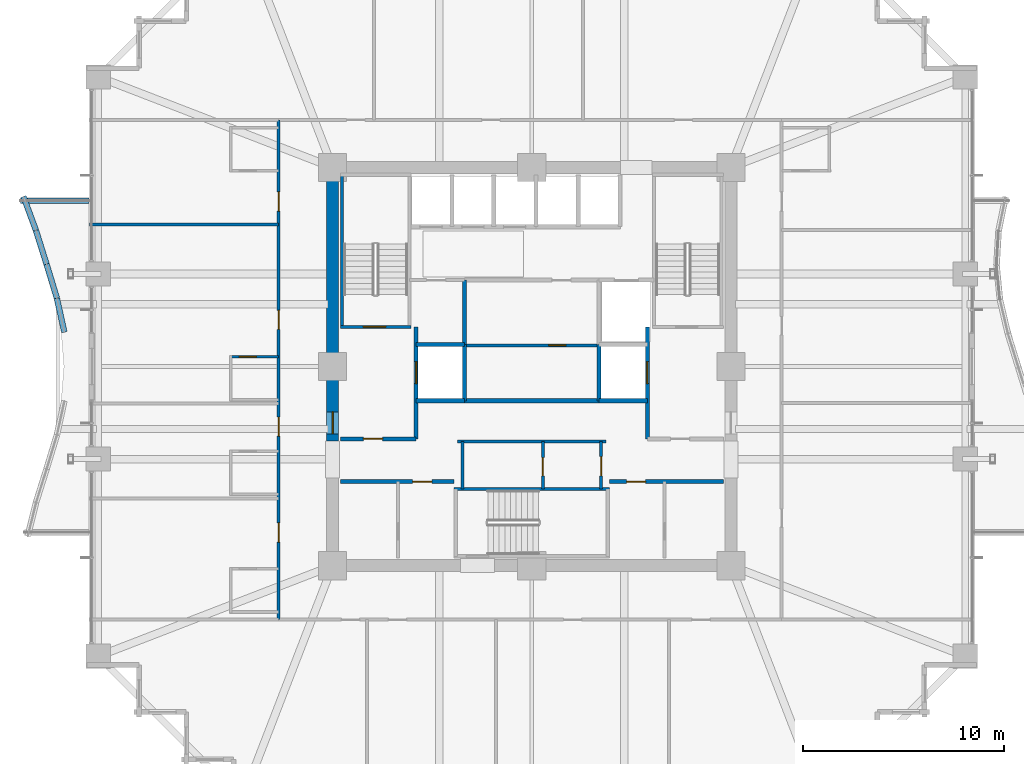
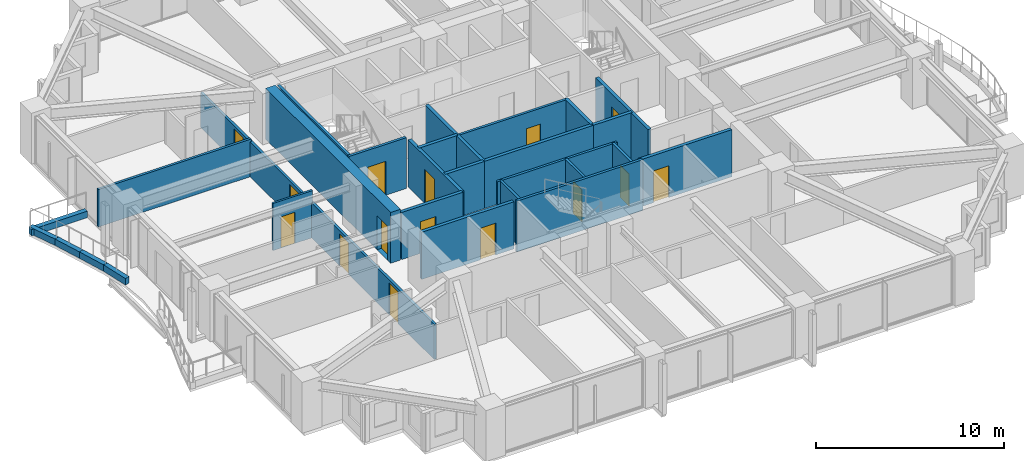
# One storey, part 31 of 36: 29 walls, 15 doors, 15 openings.
"""IFC4 building model written with IfcOpenShell, lengths in metres."""

from ifc_helpers import new_model, si_unit, direction, frame, frame_2d, origin, place, context, subcontext, project, spatial, rectangle, extrude, material, layer, layer_set, type_object, element, fill, save


model = new_model("IFC4")

# Units and contexts
model_context = context("Model", 3, precision=1e-05, world=origin(), true_north=direction((0.0, 1.0)))
body_context = subcontext(model_context, "Body", "Model", "MODEL_VIEW")
ifc_project = project(units=[si_unit("LENGTHUNIT", "METRE"), si_unit("AREAUNIT", "SQUARE_METRE"), si_unit("VOLUMEUNIT", "CUBIC_METRE"), si_unit("PLANEANGLEUNIT", "RADIAN"), si_unit("MASSUNIT", "GRAM", prefix="KILO")], contexts=[model_context])

# Site, building, storey
site_placement = place(None, origin())
site = spatial("IfcSite", under=ifc_project, at=site_placement, CompositionType="ELEMENT")
building_placement = place(site_placement, origin())
building = spatial("IfcBuilding", under=site, at=building_placement, Name="Kolvaren Belvedere", CompositionType="ELEMENT")
storey_placement = place(building_placement, frame((0.0, 0.0, 46.89990234375)))
storey = spatial("IfcBuildingStorey", under=building, at=storey_placement, Name="L13", CompositionType="ELEMENT", Elevation=46.89990234375)

# Wall, opening, door
ifc_material_1 = material(Name="Concrete C60/75", Category="concrete")
ifc_layer_1 = layer(ifc_material_1, 0.60009765625)
ifc_layer_set_1 = layer_set([ifc_layer_1], Name="Concrete C60/75")
wall_type_1 = type_object("IfcWallType", Name="CW-CORE-600", PredefinedType="SHEAR", material=ifc_layer_set_1)
wall_1_placement = place(storey_placement, frame((-9.89990234375, -3.699951171875, 0.0), z_axis=(0.0, 0.0, 1.0), x_axis=(0.0, 1.0, 0.0)))
wall_1 = element("IfcWall", 1, at=wall_1_placement, inside=storey, type_object=wall_type_1, Name="L13 West Core Shear Wall 2", PredefinedType="SHEAR", context=body_context, shape_type="SweptSolid", body=[
    extrude(rectangle(XDim=13.300048828125, YDim=0.60009765625, at=frame_2d((6.64990234375, 0.0))), origin(), (0.0, 0.0, 1.0), 3.300048828125),
])
opening_1_placement = place(wall_1_placement, frame((0.35009765625, 0.0, 0.0)))
opening_1 = element("IfcOpeningElement", 2, at=opening_1_placement, cuts=wall_1, Name="Opening D-FD90", PredefinedType="OPENING", context=body_context, shape_type="SweptSolid", body=[
    extrude(rectangle(XDim=1.10009765625, YDim=2.199951171875, at=frame_2d((0.550048828125, 1.10009765625))), frame((0.0, 0.31005859375, 0.0), z_axis=(0.0, -1.0, 0.0), x_axis=(1.0, 0.0, 0.0)), (0.0, 0.0, 1.0), 0.6201171875),
])
ifc_material_2 = material(Name="Painted hollow stainless steel", Category="steel")
door_type_1 = type_object("IfcDoorType", Name="DR-FD90-1100", OperationType="NOTDEFINED", PredefinedType="DOOR", material=ifc_material_2)
door_1_placement = place(opening_1_placement, origin())
door_1 = element("IfcDoor", 3, at=door_1_placement, inside=storey, type_object=door_type_1, Name="L13 West Firefighting Lobby Fire Door", OperationType="SINGLE_SWING_LEFT", OverallHeight=2.199951171875, OverallWidth=1.10009765625, PredefinedType="DOOR", context=body_context, shape_type="SweptSolid", body=[
    extrude(rectangle(XDim=1.10009765625, YDim=2.199951171875, at=frame_2d((0.550048828125, 1.10009765625))), frame((0.0, 0.02490234375, 0.0), z_axis=(0.0, -1.0, 0.0), x_axis=(1.0, 0.0, 0.0)), (0.0, 0.0, 1.0), 0.050048828125),
])
fill(opening_1, door_1)

ifc_material_3 = material(Name="Concrete C50/60", Category="concrete")
ifc_layer_2 = layer(ifc_material_3, 0.159912109375)
ifc_layer_set_2 = layer_set([ifc_layer_2], Name="Concrete C50/60")
wall_type_2 = type_object("IfcWallType", Name="CW-STAIR-160", PredefinedType="SHEAR", material=ifc_layer_set_2)
wall_2_placement = place(storey_placement, frame((-9.52001953125, 1.969970703125, 0.0), z_axis=(0.0, 0.0, 1.0), x_axis=(1.0, 0.0, 0.0)))
wall_2 = element("IfcWall", 4, at=wall_2_placement, inside=storey, type_object=wall_type_2, Name="L13 Stair ST-1 South Shear Wall", PredefinedType="SHEAR", context=body_context, shape_type="SweptSolid", body=[
    extrude(rectangle(XDim=3.52001953125, YDim=0.159912109375, at=frame_2d((1.760009765625, 0.0))), origin(), (0.0, 0.0, 1.0), 3.300048828125),
])
opening_2_placement = place(wall_2_placement, frame((1.14990234375, 0.0, 0.0)))
opening_2 = element("IfcOpeningElement", 5, at=opening_2_placement, cuts=wall_2, Name="Opening D-FD90", PredefinedType="OPENING", context=body_context, shape_type="SweptSolid", body=[
    extrude(rectangle(XDim=1.10009765625, YDim=2.199951171875, at=frame_2d((0.550048828125, 1.10009765625))), frame((0.0, 0.08984375, 0.0), z_axis=(0.0, -1.0, 0.0), x_axis=(1.0, 0.0, 0.0)), (0.0, 0.0, 1.0), 0.179931640625),
])
door_2_placement = place(opening_2_placement, origin())
door_2 = element("IfcDoor", 6, at=door_2_placement, inside=storey, type_object=door_type_1, Name="L13 Stair ST-1 Fire Door", OperationType="SINGLE_SWING_LEFT", OverallHeight=2.199951171875, OverallWidth=1.10009765625, PredefinedType="DOOR", context=body_context, shape_type="SweptSolid", body=[
    extrude(rectangle(XDim=1.10009765625, YDim=2.199951171875, at=frame_2d((0.550048828125, 1.10009765625))), frame((0.0, 0.02490234375, 0.0), z_axis=(0.0, -1.0, 0.0), x_axis=(1.0, 0.0, 0.0)), (0.0, 0.0, 1.0), 0.050048828125),
])
fill(opening_2, door_2)

# Walls
wall_3_placement = place(storey_placement, frame((-9.429931640625, 1.969970703125, 0.0), z_axis=(0.0, 0.0, 1.0), x_axis=(0.0, 1.0, 0.0)))
element("IfcWall", 7, at=wall_3_placement, inside=storey, type_object=wall_type_2, Name="L13 Stair ST-1 West Shear Wall", PredefinedType="SHEAR", context=body_context, shape_type="SweptSolid", body=[
    extrude(rectangle(XDim=7.56005859375, YDim=0.159912109375, at=frame_2d((3.780029296875, 0.0))), origin(), (0.0, 0.0, 1.0), 3.300048828125),
])
wall_4_placement = place(storey_placement, frame((-3.860107421875, -6.080078125, 0.0), z_axis=(0.0, 0.0, 1.0), x_axis=(1.0, 0.0, 0.0)))
element("IfcWall", 8, at=wall_4_placement, inside=storey, type_object=wall_type_2, Name="L13 Stair ST-3 North Shear Wall", PredefinedType="SHEAR", context=body_context, shape_type="SweptSolid", body=[
    extrude(rectangle(XDim=7.72021484375, YDim=0.159912109375, at=frame_2d((3.860107421875, 0.0))), origin(), (0.0, 0.0, 1.0), 3.300048828125),
])

# Wall, openings, doors
ifc_material_4 = material(Name="Gypsum fire-rated partition assembly", Category="gypsum")
ifc_layer_3 = layer(ifc_material_4, 0.14990234375)
ifc_layer_set_3 = layer_set([ifc_layer_3], Name="Gypsum fire-rated partition assembly")
wall_type_3 = type_object("IfcWallType", Name="WL-CORR-150", PredefinedType="PARTITIONING", material=ifc_layer_set_3)
wall_5_placement = place(storey_placement, frame((-12.580078125, -12.580078125, 0.0), z_axis=(0.0, 0.0, 1.0), x_axis=(0.0, 1.0, 0.0)))
wall_5 = element("IfcWall", 9, at=wall_5_placement, inside=storey, type_object=wall_type_3, Name="L13 West Corridor Wall", PredefinedType="PARTITIONING", context=body_context, shape_type="SweptSolid", body=[
    extrude(rectangle(XDim=24.840087890625, YDim=0.14990234375, at=frame_2d((12.419921875, 0.0))), origin(), (0.0, 0.0, 1.0), 2.272216796875),
])
opening_3_placement = place(wall_5_placement, frame((3.855712890625, 0.0, 0.0)))
opening_3 = element("IfcOpeningElement", 10, at=opening_3_placement, cuts=wall_5, Name="Opening D-FD60", PredefinedType="OPENING", context=body_context, shape_type="SweptSolid", body=[
    extrude(rectangle(XDim=0.949951171875, YDim=2.06005859375, at=frame_2d((0.47509765625, 1.030029296875))), frame((0.0, 0.0849609375, 0.0), z_axis=(0.0, -1.0, 0.0), x_axis=(1.0, 0.0, 0.0)), (0.0, 0.0, 1.0), 0.169921875),
])
opening_4_placement = place(wall_5_placement, frame((9.119384765625, 0.0, 0.0)))
opening_4 = element("IfcOpeningElement", 11, at=opening_4_placement, cuts=wall_5, Name="Opening D-FD60", PredefinedType="OPENING", context=body_context, shape_type="SweptSolid", body=[
    extrude(rectangle(XDim=0.949951171875, YDim=2.06005859375, at=frame_2d((0.47509765625, 1.030029296875))), frame((0.0, 0.0849609375, 0.0), z_axis=(0.0, -1.0, 0.0), x_axis=(1.0, 0.0, 0.0)), (0.0, 0.0, 1.0), 0.169921875),
])
opening_5_placement = place(wall_5_placement, frame((14.428466796875, 0.0, 0.0)))
opening_5 = element("IfcOpeningElement", 12, at=opening_5_placement, cuts=wall_5, Name="Opening D-FD60", PredefinedType="OPENING", context=body_context, shape_type="SweptSolid", body=[
    extrude(rectangle(XDim=0.949951171875, YDim=2.06005859375, at=frame_2d((0.47509765625, 1.030029296875))), frame((0.0, 0.0849609375, 0.0), z_axis=(0.0, -1.0, 0.0), x_axis=(1.0, 0.0, 0.0)), (0.0, 0.0, 1.0), 0.169921875),
])
opening_6_placement = place(wall_5_placement, frame((20.30859375, 0.0, 0.0)))
opening_6 = element("IfcOpeningElement", 13, at=opening_6_placement, cuts=wall_5, Name="Opening D-FD60", PredefinedType="OPENING", context=body_context, shape_type="SweptSolid", body=[
    extrude(rectangle(XDim=0.949951171875, YDim=2.06005859375, at=frame_2d((0.47509765625, 1.030029296875))), frame((0.0, 0.0849609375, 0.0), z_axis=(0.0, -1.0, 0.0), x_axis=(1.0, 0.0, 0.0)), (0.0, 0.0, 1.0), 0.169921875),
])
ifc_material_5 = material(Name="Acoustic white-oak fire door leaf", Category="timber")
door_type_2 = type_object("IfcDoorType", Name="DR-FD60-950", OperationType="NOTDEFINED", PredefinedType="DOOR", material=ifc_material_5)
door_3_placement = place(opening_3_placement, origin())
door_3 = element("IfcDoor", 14, at=door_3_placement, inside=storey, type_object=door_type_2, Name="L13 Deluxe King Guest Room 1308 Entry Door", OperationType="SINGLE_SWING_RIGHT", OverallHeight=2.06005859375, OverallWidth=0.949951171875, PredefinedType="DOOR", context=body_context, shape_type="SweptSolid", body=[
    extrude(rectangle(XDim=0.949951171875, YDim=2.06005859375, at=frame_2d((0.47509765625, 1.030029296875))), frame((0.0, 0.02490234375, 0.0), z_axis=(0.0, -1.0, 0.0), x_axis=(1.0, 0.0, 0.0)), (0.0, 0.0, 1.0), 0.050048828125),
])
fill(opening_3, door_3)
door_4_placement = place(opening_4_placement, origin())
door_4 = element("IfcDoor", 15, at=door_4_placement, inside=storey, type_object=door_type_2, Name="L13 Twin Guest Room 1309 Entry Door", OperationType="SINGLE_SWING_RIGHT", OverallHeight=2.06005859375, OverallWidth=0.949951171875, PredefinedType="DOOR", context=body_context, shape_type="SweptSolid", body=[
    extrude(rectangle(XDim=0.949951171875, YDim=2.06005859375, at=frame_2d((0.47509765625, 1.030029296875))), frame((0.0, 0.02490234375, 0.0), z_axis=(0.0, -1.0, 0.0), x_axis=(1.0, 0.0, 0.0)), (0.0, 0.0, 1.0), 0.050048828125),
])
fill(opening_4, door_4)
door_5_placement = place(opening_5_placement, origin())
door_5 = element("IfcDoor", 16, at=door_5_placement, inside=storey, type_object=door_type_2, Name="L13 Deluxe King Guest Room 1310 Entry Door", OperationType="SINGLE_SWING_RIGHT", OverallHeight=2.06005859375, OverallWidth=0.949951171875, PredefinedType="DOOR", context=body_context, shape_type="SweptSolid", body=[
    extrude(rectangle(XDim=0.949951171875, YDim=2.06005859375, at=frame_2d((0.47509765625, 1.030029296875))), frame((0.0, 0.02490234375, 0.0), z_axis=(0.0, -1.0, 0.0), x_axis=(1.0, 0.0, 0.0)), (0.0, 0.0, 1.0), 0.050048828125),
])
fill(opening_5, door_5)
door_6_placement = place(opening_6_placement, origin())
door_6 = element("IfcDoor", 17, at=door_6_placement, inside=storey, type_object=door_type_2, Name="L13 Twin Guest Room 1311 Entry Door", OperationType="SINGLE_SWING_RIGHT", OverallHeight=2.06005859375, OverallWidth=0.949951171875, PredefinedType="DOOR", context=body_context, shape_type="SweptSolid", body=[
    extrude(rectangle(XDim=0.949951171875, YDim=2.06005859375, at=frame_2d((0.47509765625, 1.030029296875))), frame((0.0, 0.02490234375, 0.0), z_axis=(0.0, -1.0, 0.0), x_axis=(1.0, 0.0, 0.0)), (0.0, 0.0, 1.0), 0.050048828125),
])
fill(opening_6, door_6)

# Wall, opening, door
ifc_material_6 = material(Name="Gypsum acoustic partition assembly", Category="gypsum")
ifc_layer_4 = layer(ifc_material_6, 0.14990234375)
ifc_layer_set_4 = layer_set([ifc_layer_4], Name="Gypsum acoustic partition assembly")
wall_type_4 = type_object("IfcWallType", Name="WL-PART-150", PredefinedType="PARTITIONING", material=ifc_layer_set_4)
wall_6_placement = place(storey_placement, frame((-3.35009765625, 1.050048828125, 0.0), z_axis=(0.0, 0.0, 1.0), x_axis=(1.0, 0.0, 0.0)))
wall_6 = element("IfcWall", 18, at=wall_6_placement, inside=storey, type_object=wall_type_4, Name="L13 Central Core H-Divider", PredefinedType="PARTITIONING", context=body_context, shape_type="SweptSolid", body=[
    extrude(rectangle(XDim=6.7001953125, YDim=0.14990234375, at=frame_2d((3.35009765625, 0.0))), origin(), (0.0, 0.0, 1.0), 3.06005859375),
])
opening_7_placement = place(wall_6_placement, frame((4.199951171875, 0.0, 0.0)))
opening_7 = element("IfcOpeningElement", 19, at=opening_7_placement, cuts=wall_6, Name="Opening D-INT85", PredefinedType="OPENING", context=body_context, shape_type="SweptSolid", body=[
    extrude(rectangle(XDim=0.85009765625, YDim=2.030029296875, at=frame_2d((0.425048828125, 1.01513671875))), frame((0.0, 0.0849609375, 0.0), z_axis=(0.0, -1.0, 0.0), x_axis=(1.0, 0.0, 0.0)), (0.0, 0.0, 1.0), 0.169921875),
])
ifc_material_7 = material(Name="Stained Pacific white oak", Category="timber")
door_type_3 = type_object("IfcDoorType", Name="DR-INT-850", OperationType="NOTDEFINED", PredefinedType="DOOR", material=ifc_material_7)
door_7_placement = place(opening_7_placement, origin())
door_7 = element("IfcDoor", 20, at=door_7_placement, inside=storey, type_object=door_type_3, Name="L13 Central Archive Door", OperationType="SINGLE_SWING_LEFT", OverallHeight=2.030029296875, OverallWidth=0.85009765625, PredefinedType="DOOR", context=body_context, shape_type="SweptSolid", body=[
    extrude(rectangle(XDim=0.85009765625, YDim=2.030029296875, at=frame_2d((0.425048828125, 1.01513671875))), frame((0.0, 0.02490234375, 0.0), z_axis=(0.0, -1.0, 0.0), x_axis=(1.0, 0.0, 0.0)), (0.0, 0.0, 1.0), 0.050048828125),
])
fill(opening_7, door_7)

# Wall
wall_7_placement = place(storey_placement, frame((-3.679931640625, -3.719970703125, 0.0), z_axis=(0.0, 0.0, 1.0), x_axis=(1.0, 0.0, 0.0)))
element("IfcWall", 21, at=wall_7_placement, inside=storey, type_object=wall_type_4, Name="L13 South Core Service North Wall", PredefinedType="PARTITIONING", context=body_context, shape_type="SweptSolid", body=[
    extrude(rectangle(XDim=7.35986328125, YDim=0.14990234375, at=frame_2d((3.679931640625, 0.0))), origin(), (0.0, 0.0, 1.0), 3.06005859375),
])

# Wall, opening, door
wall_8_placement = place(storey_placement, frame((3.449951171875, -6.080078125, 0.0), z_axis=(0.0, 0.0, 1.0), x_axis=(0.0, 1.0, 0.0)))
wall_8 = element("IfcWall", 22, at=wall_8_placement, inside=storey, type_object=wall_type_4, Name="L13 South Core Service East Wall", PredefinedType="PARTITIONING", context=body_context, shape_type="SweptSolid", body=[
    extrude(rectangle(XDim=2.360107421875, YDim=0.14990234375, at=frame_2d((1.18017578125, 0.0))), origin(), (0.0, 0.0, 1.0), 3.06005859375),
])
opening_8_placement = place(wall_8_placement, frame((0.64990234375, 0.0, 0.0)))
opening_8 = element("IfcOpeningElement", 23, at=opening_8_placement, cuts=wall_8, Name="Opening D-FD60", PredefinedType="OPENING", context=body_context, shape_type="SweptSolid", body=[
    extrude(rectangle(XDim=0.949951171875, YDim=2.06005859375, at=frame_2d((0.47509765625, 1.030029296875))), frame((0.0, 0.0849609375, 0.0), z_axis=(0.0, -1.0, 0.0), x_axis=(1.0, 0.0, 0.0)), (0.0, 0.0, 1.0), 0.169921875),
])
door_8_placement = place(opening_8_placement, origin())
door_8 = element("IfcDoor", 24, at=door_8_placement, inside=storey, type_object=door_type_2, Name="L13 Core Service Room Door", OperationType="SINGLE_SWING_LEFT", OverallHeight=2.06005859375, OverallWidth=0.949951171875, PredefinedType="DOOR", context=body_context, shape_type="SweptSolid", body=[
    extrude(rectangle(XDim=0.949951171875, YDim=2.06005859375, at=frame_2d((0.47509765625, 1.030029296875))), frame((0.0, 0.02490234375, 0.0), z_axis=(0.0, -1.0, 0.0), x_axis=(1.0, 0.0, 0.0)), (0.0, 0.0, 1.0), 0.050048828125),
])
fill(opening_8, door_8)

# Wall
wall_9_placement = place(storey_placement, frame((-3.449951171875, -6.080078125, 0.0), z_axis=(0.0, 0.0, 1.0), x_axis=(0.0, 1.0, 0.0)))
element("IfcWall", 25, at=wall_9_placement, inside=storey, type_object=wall_type_4, Name="L13 South Core Service West Wall", PredefinedType="PARTITIONING", context=body_context, shape_type="SweptSolid", body=[
    extrude(rectangle(XDim=2.360107421875, YDim=0.14990234375, at=frame_2d((1.18017578125, 0.0))), origin(), (0.0, 0.0, 1.0), 3.06005859375),
])

# Wall, opening, door
wall_10_placement = place(storey_placement, frame((0.550048828125, -6.080078125, 0.0), z_axis=(0.0, 0.0, 1.0), x_axis=(0.0, 1.0, 0.0)))
wall_10 = element("IfcWall", 26, at=wall_10_placement, inside=storey, type_object=wall_type_4, Name="L13 Core Service Divider", PredefinedType="PARTITIONING", context=body_context, shape_type="SweptSolid", body=[
    extrude(rectangle(XDim=2.360107421875, YDim=0.14990234375, at=frame_2d((1.18017578125, 0.0))), origin(), (0.0, 0.0, 1.0), 3.06005859375),
])
opening_9_placement = place(wall_10_placement, frame((0.64990234375, 0.0, 0.0)))
opening_9 = element("IfcOpeningElement", 27, at=opening_9_placement, cuts=wall_10, Name="Opening D-INT90", PredefinedType="OPENING", context=body_context, shape_type="SweptSolid", body=[
    extrude(rectangle(XDim=0.89990234375, YDim=2.06005859375, at=frame_2d((0.449951171875, 1.030029296875))), frame((0.0, 0.0849609375, 0.0), z_axis=(0.0, -1.0, 0.0), x_axis=(1.0, 0.0, 0.0)), (0.0, 0.0, 1.0), 0.169921875),
])
ifc_material_8 = material(Name="Stained Pacific white oak", Category="timber")
door_type_4 = type_object("IfcDoorType", Name="DR-INT-900", OperationType="NOTDEFINED", PredefinedType="DOOR", material=ifc_material_8)
door_9_placement = place(opening_9_placement, origin())
door_9 = element("IfcDoor", 28, at=door_9_placement, inside=storey, type_object=door_type_4, Name="L13 BMS Inner Door", OperationType="SINGLE_SWING_LEFT", OverallHeight=2.06005859375, OverallWidth=0.89990234375, PredefinedType="DOOR", context=body_context, shape_type="SweptSolid", body=[
    extrude(rectangle(XDim=0.89990234375, YDim=2.06005859375, at=frame_2d((0.449951171875, 1.030029296875))), frame((0.0, 0.02490234375, 0.0), z_axis=(0.0, -1.0, 0.0), x_axis=(1.0, 0.0, 0.0)), (0.0, 0.0, 1.0), 0.050048828125),
])
fill(opening_9, door_9)

# Walls
wall_11_placement = place(storey_placement, frame((-21.97998046875, 7.052001953125, 0.0), z_axis=(0.0, 0.0, 1.0), x_axis=(1.0, 0.0, 0.0)))
element("IfcWall", 29, at=wall_11_placement, inside=storey, type_object=wall_type_4, Name="L13 West Suite Demising Wall 3", PredefinedType="PARTITIONING", context=body_context, shape_type="SweptSolid", body=[
    extrude(rectangle(XDim=9.39990234375, YDim=0.14990234375, at=frame_2d((4.699951171875, 0.0))), origin(), (0.0, 0.0, 1.0), 2.42919921875),
])
ifc_material_9 = material(Name="Precast concrete C40/50", Category="concrete")
ifc_layer_5 = layer(ifc_material_9, 0.300048828125)
ifc_layer_set_5 = layer_set([ifc_layer_5], Name="Precast concrete C40/50")
wall_type_5 = type_object("IfcWallType", Name="WL-PLANTER-300", PredefinedType="PARAPET", material=ifc_layer_set_5)
wall_12_placement = place(storey_placement, frame((-25.27001953125, 8.455322265625, -0.059814453125), z_axis=(0.0, 0.0, 1.0), x_axis=(0.346412843043, -0.93808216174, 0.0)))
element("IfcWall", 30, at=wall_12_placement, inside=storey, type_object=wall_type_5, Name="L13 Precast Structural Planter Wall BAL-W-1", PredefinedType="PARAPET", context=body_context, shape_type="SweptSolid", body=[
    extrude(rectangle(XDim=1.790771484375, YDim=0.280029296875, at=frame_2d((0.8955078125, 0.0))), origin(), (0.0, 0.0, 1.0), 0.419921875),
])
wall_13_placement = place(storey_placement, frame((-24.647216796875, 6.767822265625, -0.059814453125), z_axis=(0.0, 0.0, 1.0), x_axis=(0.299624691176, -0.954057149461, 0.0)))
element("IfcWall", 31, at=wall_13_placement, inside=storey, type_object=wall_type_5, Name="L13 Precast Structural Planter Wall BAL-W-2", PredefinedType="PARAPET", context=body_context, shape_type="SweptSolid", body=[
    extrude(rectangle(XDim=1.7607421875, YDim=0.280029296875, at=frame_2d((0.88037109375, 0.0))), origin(), (0.0, 0.0, 1.0), 0.419921875),
])
wall_14_placement = place(storey_placement, frame((-24.119140625, 5.086669921875, -0.059814453125), z_axis=(0.0, 0.0, 1.0), x_axis=(0.290967992577, -0.956732787823, 0.0)))
element("IfcWall", 32, at=wall_14_placement, inside=storey, type_object=wall_type_5, Name="L13 Precast Structural Planter Wall BAL-W-3", PredefinedType="PARAPET", context=body_context, shape_type="SweptSolid", body=[
    extrude(rectangle(XDim=1.756103515625, YDim=0.280029296875, at=frame_2d((0.8779296875, 0.0))), origin(), (0.0, 0.0, 1.0), 0.419921875),
])
wall_15_placement = place(storey_placement, frame((-23.60498046875, 3.394287109375, -0.059814453125), z_axis=(0.0, 0.0, 1.0), x_axis=(0.213773077423, -0.976883345835, 0.0)))
element("IfcWall", 33, at=wall_15_placement, inside=storey, type_object=wall_type_5, Name="L13 Precast Structural Planter Wall BAL-W-4", PredefinedType="PARAPET", context=body_context, shape_type="SweptSolid", body=[
    extrude(rectangle(XDim=1.719970703125, YDim=0.280029296875, at=frame_2d((0.85986328125, 0.0))), origin(), (0.0, 0.0, 1.0), 0.419921875),
])
wall_16_placement = place(storey_placement, frame((-22.0, 8.239990234375, -0.059814453125), z_axis=(0.0, 0.0, 1.0), x_axis=(-1.0, 0.0, 0.0)))
element("IfcWall", 34, at=wall_16_placement, inside=storey, type_object=wall_type_5, Name="L13 Precast Structural Planter Wall BAL-W-22", PredefinedType="PARAPET", context=body_context, shape_type="SweptSolid", body=[
    extrude(rectangle(XDim=3.419921875, YDim=0.280029296875, at=frame_2d((1.7099609375, 0.0))), origin(), (0.0, 0.0, 1.0), 0.419921875),
])

# Wall, opening, door
ifc_material_10 = material(Name="Concrete C50/60", Category="concrete")
ifc_layer_6 = layer(ifc_material_10, 0.199951171875)
ifc_layer_set_6 = layer_set([ifc_layer_6], Name="Concrete C50/60")
wall_type_6 = type_object("IfcWallType", Name="WL-SHAFT-200", PredefinedType="SOLIDWALL", material=ifc_layer_set_6)
wall_17_placement = place(storey_placement, frame((-9.52001953125, -3.60009765625, 0.0), z_axis=(0.0, 0.0, 1.0), x_axis=(1.0, 0.0, 0.0)))
wall_17 = element("IfcWall", 35, at=wall_17_placement, inside=storey, type_object=wall_type_6, Name="L13 West FSAE Lobby South Wall", PredefinedType="SOLIDWALL", context=body_context, shape_type="SweptSolid", body=[
    extrude(rectangle(XDim=3.77001953125, YDim=0.199951171875, at=frame_2d((1.885009765625, 0.0))), origin(), (0.0, 0.0, 1.0), 3.06005859375),
])
opening_10_placement = place(wall_17_placement, frame((1.14990234375, 0.0, 0.0)))
opening_10 = element("IfcOpeningElement", 36, at=opening_10_placement, cuts=wall_17, Name="Opening D-FD60", PredefinedType="OPENING", context=body_context, shape_type="SweptSolid", body=[
    extrude(rectangle(XDim=0.949951171875, YDim=2.06005859375, at=frame_2d((0.47509765625, 1.030029296875))), frame((0.0, 0.10986328125, 0.0), z_axis=(0.0, -1.0, 0.0), x_axis=(1.0, 0.0, 0.0)), (0.0, 0.0, 1.0), 0.219970703125),
])
door_10_placement = place(opening_10_placement, origin())
door_10 = element("IfcDoor", 37, at=door_10_placement, inside=storey, type_object=door_type_2, Name="L13 SW Lift Lobby Fire Door", OperationType="SINGLE_SWING_LEFT", OverallHeight=2.06005859375, OverallWidth=0.949951171875, PredefinedType="DOOR", context=body_context, shape_type="SweptSolid", body=[
    extrude(rectangle(XDim=0.949951171875, YDim=2.06005859375, at=frame_2d((0.47509765625, 1.030029296875))), frame((0.0, 0.02490234375, 0.0), z_axis=(0.0, -1.0, 0.0), x_axis=(1.0, 0.0, 0.0)), (0.0, 0.0, 1.0), 0.050048828125),
])
fill(opening_10, door_10)

wall_18_placement = place(storey_placement, frame((-5.75, -3.60009765625, 0.0), z_axis=(0.0, 0.0, 1.0), x_axis=(0.0, 1.0, 0.0)))
wall_18 = element("IfcWall", 38, at=wall_18_placement, inside=storey, type_object=wall_type_6, Name="L13 FSAE FS1 Landing Wall", PredefinedType="SOLIDWALL", context=body_context, shape_type="SweptSolid", body=[
    extrude(rectangle(XDim=5.570068359375, YDim=0.199951171875, at=frame_2d((2.78515625, 0.0))), origin(), (0.0, 0.0, 1.0), 3.06005859375),
])
opening_11_placement = place(wall_18_placement, frame((2.75, 0.0, 0.0)))
opening_11 = element("IfcOpeningElement", 39, at=opening_11_placement, cuts=wall_18, Name="Opening LD-11", PredefinedType="OPENING", context=body_context, shape_type="SweptSolid", body=[
    extrude(rectangle(XDim=1.10009765625, YDim=2.199951171875, at=frame_2d((0.550048828125, 1.10009765625))), frame((0.0, 0.10986328125, 0.0), z_axis=(0.0, -1.0, 0.0), x_axis=(1.0, 0.0, 0.0)), (0.0, 0.0, 1.0), 0.219970703125),
])
ifc_material_11 = material(Name="Brushed stainless steel", Category="steel")
door_type_5 = type_object("IfcDoorType", Name="DR-LIFT-1100", OperationType="DOUBLE_DOOR_SLIDING", PredefinedType="DOOR", material=ifc_material_11)
door_11_placement = place(opening_11_placement, origin())
door_11 = element("IfcDoor", 40, at=door_11_placement, inside=storey, type_object=door_type_5, Name="L13 Firefighting Lift FS1 Landing Door", OperationType="DOUBLE_DOOR_SLIDING", OverallHeight=2.199951171875, OverallWidth=1.10009765625, PredefinedType="DOOR", context=body_context, shape_type="SweptSolid", body=[
    extrude(rectangle(XDim=1.10009765625, YDim=2.199951171875, at=frame_2d((0.550048828125, 1.10009765625))), frame((0.0, 0.02490234375, 0.0), z_axis=(0.0, -1.0, 0.0), x_axis=(1.0, 0.0, 0.0)), (0.0, 0.0, 1.0), 0.050048828125),
])
fill(opening_11, door_11)

# Walls
wall_19_placement = place(storey_placement, frame((-3.35009765625, -1.699951171875, 0.0), z_axis=(0.0, 0.0, 1.0), x_axis=(0.0, 1.0, 0.0)))
element("IfcWall", 41, at=wall_19_placement, inside=storey, type_object=wall_type_6, Name="L13 FSAE FS1 Back Wall", PredefinedType="SOLIDWALL", context=body_context, shape_type="SweptSolid", body=[
    extrude(rectangle(XDim=2.800048828125, YDim=0.199951171875, at=frame_2d((1.39990234375, 0.0))), origin(), (0.0, 0.0, 1.0), 3.06005859375),
])
for number, where, z_axis, x_axis, name in (
    (42, (-5.75, -1.699951171875, 0.0), (0.0, 0.0, 1.0), (1.0, 0.0, 0.0), "L13 FSAE FS1 South Wall"),
    (43, (-5.75, 1.10009765625, 0.0), (0.0, 0.0, 1.0), (1.0, 0.0, 0.0), "L13 FSAE FS1 North Wall"),
):
    element("IfcWall", number, at=place(storey_placement, frame(where, z_axis=z_axis, x_axis=x_axis)), inside=storey, type_object=wall_type_6, Name=name, PredefinedType="SOLIDWALL", context=body_context, shape_type="SweptSolid", body=[
        extrude(rectangle(XDim=2.39990234375, YDim=0.199951171875, at=frame_2d((1.199951171875, 0.0))), origin(), (0.0, 0.0, 1.0), 3.06005859375),
    ])

# Wall, opening, door
wall_20_placement = place(storey_placement, frame((5.75, -3.60009765625, 0.0), z_axis=(0.0, 0.0, 1.0), x_axis=(0.0, 1.0, 0.0)))
wall_20 = element("IfcWall", 44, at=wall_20_placement, inside=storey, type_object=wall_type_6, Name="L13 FSAE FS2 Landing Wall", PredefinedType="SOLIDWALL", context=body_context, shape_type="SweptSolid", body=[
    extrude(rectangle(XDim=5.570068359375, YDim=0.199951171875, at=frame_2d((2.78515625, 0.0))), origin(), (0.0, 0.0, 1.0), 3.06005859375),
])
opening_12_placement = place(wall_20_placement, frame((2.75, 0.0, 0.0)))
opening_12 = element("IfcOpeningElement", 45, at=opening_12_placement, cuts=wall_20, Name="Opening LD-11", PredefinedType="OPENING", context=body_context, shape_type="SweptSolid", body=[
    extrude(rectangle(XDim=1.10009765625, YDim=2.199951171875, at=frame_2d((0.550048828125, 1.10009765625))), frame((0.0, 0.10986328125, 0.0), z_axis=(0.0, -1.0, 0.0), x_axis=(1.0, 0.0, 0.0)), (0.0, 0.0, 1.0), 0.219970703125),
])
door_12_placement = place(opening_12_placement, origin())
door_12 = element("IfcDoor", 46, at=door_12_placement, inside=storey, type_object=door_type_5, Name="L13 Firefighting Lift FS2 Landing Door", OperationType="DOUBLE_DOOR_SLIDING", OverallHeight=2.199951171875, OverallWidth=1.10009765625, PredefinedType="DOOR", context=body_context, shape_type="SweptSolid", body=[
    extrude(rectangle(XDim=1.10009765625, YDim=2.199951171875, at=frame_2d((0.550048828125, 1.10009765625))), frame((0.0, 0.02490234375, 0.0), z_axis=(0.0, -1.0, 0.0), x_axis=(1.0, 0.0, 0.0)), (0.0, 0.0, 1.0), 0.050048828125),
])
fill(opening_12, door_12)

# Walls
wall_21_placement = place(storey_placement, frame((3.35009765625, -1.699951171875, 0.0), z_axis=(0.0, 0.0, 1.0), x_axis=(0.0, 1.0, 0.0)))
element("IfcWall", 47, at=wall_21_placement, inside=storey, type_object=wall_type_6, Name="L13 FSAE FS2 Back Wall", PredefinedType="SOLIDWALL", context=body_context, shape_type="SweptSolid", body=[
    extrude(rectangle(XDim=2.800048828125, YDim=0.199951171875, at=frame_2d((1.39990234375, 0.0))), origin(), (0.0, 0.0, 1.0), 3.06005859375),
])
wall_22_placement = place(storey_placement, frame((3.35009765625, -1.699951171875, 0.0), z_axis=(0.0, 0.0, 1.0), x_axis=(1.0, 0.0, 0.0)))
element("IfcWall", 48, at=wall_22_placement, inside=storey, type_object=wall_type_6, Name="L13 FSAE FS2 South Wall", PredefinedType="SOLIDWALL", context=body_context, shape_type="SweptSolid", body=[
    extrude(rectangle(XDim=2.39990234375, YDim=0.199951171875, at=frame_2d((1.199951171875, 0.0))), origin(), (0.0, 0.0, 1.0), 3.06005859375),
])

# Wall, opening, door
wall_23_placement = place(storey_placement, frame((-9.52001953125, -5.719970703125, 0.0), z_axis=(0.0, 0.0, 1.0), x_axis=(1.0, 0.0, 0.0)))
wall_23 = element("IfcWall", 49, at=wall_23_placement, inside=storey, type_object=wall_type_6, Name="L13 SW Core Reserve Wall", PredefinedType="SOLIDWALL", context=body_context, shape_type="SweptSolid", body=[
    extrude(rectangle(XDim=5.659912109375, YDim=0.199951171875, at=frame_2d((2.830078125, 0.0))), origin(), (0.0, 0.0, 1.0), 3.06005859375),
])
opening_13_placement = place(wall_23_placement, frame((3.60009765625, 0.0, 0.0)))
opening_13 = element("IfcOpeningElement", 50, at=opening_13_placement, cuts=wall_23, Name="Opening D-FD60", PredefinedType="OPENING", context=body_context, shape_type="SweptSolid", body=[
    extrude(rectangle(XDim=0.949951171875, YDim=2.06005859375, at=frame_2d((0.47509765625, 1.030029296875))), frame((0.0, 0.10986328125, 0.0), z_axis=(0.0, -1.0, 0.0), x_axis=(1.0, 0.0, 0.0)), (0.0, 0.0, 1.0), 0.219970703125),
])
door_13_placement = place(opening_13_placement, origin())
door_13 = element("IfcDoor", 51, at=door_13_placement, inside=storey, type_object=door_type_2, Name="L13 SW Supply Door", OperationType="SINGLE_SWING_LEFT", OverallHeight=2.06005859375, OverallWidth=0.949951171875, PredefinedType="DOOR", context=body_context, shape_type="SweptSolid", body=[
    extrude(rectangle(XDim=0.949951171875, YDim=2.06005859375, at=frame_2d((0.47509765625, 1.030029296875))), frame((0.0, 0.02490234375, 0.0), z_axis=(0.0, -1.0, 0.0), x_axis=(1.0, 0.0, 0.0)), (0.0, 0.0, 1.0), 0.050048828125),
])
fill(opening_13, door_13)

wall_24_placement = place(storey_placement, frame((3.860107421875, -5.719970703125, 0.0), z_axis=(0.0, 0.0, 1.0), x_axis=(1.0, 0.0, 0.0)))
wall_24 = element("IfcWall", 52, at=wall_24_placement, inside=storey, type_object=wall_type_6, Name="L13 SE Core Distribution Wall", PredefinedType="SOLIDWALL", context=body_context, shape_type="SweptSolid", body=[
    extrude(rectangle(XDim=5.659912109375, YDim=0.199951171875, at=frame_2d((2.830078125, 0.0))), origin(), (0.0, 0.0, 1.0), 3.06005859375),
])
opening_14_placement = place(wall_24_placement, frame((0.85009765625, 0.0, 0.0)))
opening_14 = element("IfcOpeningElement", 53, at=opening_14_placement, cuts=wall_24, Name="Opening D-FD60", PredefinedType="OPENING", context=body_context, shape_type="SweptSolid", body=[
    extrude(rectangle(XDim=0.949951171875, YDim=2.06005859375, at=frame_2d((0.47509765625, 1.030029296875))), frame((0.0, 0.10986328125, 0.0), z_axis=(0.0, -1.0, 0.0), x_axis=(1.0, 0.0, 0.0)), (0.0, 0.0, 1.0), 0.219970703125),
])
door_14_placement = place(opening_14_placement, origin())
door_14 = element("IfcDoor", 54, at=door_14_placement, inside=storey, type_object=door_type_2, Name="L13 SE Telecom Door", OperationType="SINGLE_SWING_RIGHT", OverallHeight=2.06005859375, OverallWidth=0.949951171875, PredefinedType="DOOR", context=body_context, shape_type="SweptSolid", body=[
    extrude(rectangle(XDim=0.949951171875, YDim=2.06005859375, at=frame_2d((0.47509765625, 1.030029296875))), frame((0.0, 0.02490234375, 0.0), z_axis=(0.0, -1.0, 0.0), x_axis=(1.0, 0.0, 0.0)), (0.0, 0.0, 1.0), 0.050048828125),
])
fill(opening_14, door_14)

# Walls
wall_25_placement = place(storey_placement, frame((-3.35009765625, -1.699951171875, 0.0), z_axis=(0.0, 0.0, 1.0), x_axis=(1.0, 0.0, 0.0)))
element("IfcWall", 55, at=wall_25_placement, inside=storey, type_object=wall_type_6, Name="L13 Central Core Room South Wall", PredefinedType="SOLIDWALL", context=body_context, shape_type="SweptSolid", body=[
    extrude(rectangle(XDim=6.7001953125, YDim=0.199951171875, at=frame_2d((3.35009765625, 0.0))), origin(), (0.0, 0.0, 1.0), 3.06005859375),
])
wall_26_placement = place(storey_placement, frame((-3.35009765625, 1.10009765625, 0.0), z_axis=(0.0, 0.0, 1.0), x_axis=(0.0, 1.0, 0.0)))
element("IfcWall", 56, at=wall_26_placement, inside=storey, type_object=wall_type_6, Name="L13 Central Core Room West Wall", PredefinedType="SOLIDWALL", context=body_context, shape_type="SweptSolid", body=[
    extrude(rectangle(XDim=3.199951171875, YDim=0.199951171875, at=frame_2d((1.60009765625, 0.0))), origin(), (0.0, 0.0, 1.0), 3.06005859375),
])

# Wall, opening, door
ifc_material_12 = material(Name="Moisture-resistant gypsum partition", Category="gypsum")
ifc_layer_7 = layer(ifc_material_12, 0.125)
ifc_layer_set_7 = layer_set([ifc_layer_7], Name="Moisture-resistant gypsum partition")
wall_type_7 = type_object("IfcWallType", Name="WL-WET-125", PredefinedType="PARTITIONING", material=ifc_layer_set_7)
wall_27_placement = place(storey_placement, frame((-15.034912109375, 0.4970703125, 0.0), z_axis=(0.0, 0.0, 1.0), x_axis=(1.0, 0.0, 0.0)))
wall_27 = element("IfcWall", 57, at=wall_27_placement, inside=storey, type_object=wall_type_7, Name="L13 Bathroom Partition PW-L13-BTH-10-N", PredefinedType="PARTITIONING", context=body_context, shape_type="SweptSolid", body=[
    extrude(rectangle(XDim=2.43994140625, YDim=0.125, at=frame_2d((1.219970703125, 0.0))), origin(), (0.0, 0.0, 1.0), 3.06005859375),
])
opening_15_placement = place(wall_27_placement, frame((0.5, 0.0, 0.0)))
opening_15 = element("IfcOpeningElement", 58, at=opening_15_placement, cuts=wall_27, Name="Opening D-BTH85", PredefinedType="OPENING", context=body_context, shape_type="SweptSolid", body=[
    extrude(rectangle(XDim=0.85009765625, YDim=2.030029296875, at=frame_2d((0.425048828125, 1.01513671875))), frame((0.0, 0.072509765625, 0.0), z_axis=(0.0, -1.0, 0.0), x_axis=(1.0, 0.0, 0.0)), (0.0, 0.0, 1.0), 0.14501953125),
])
ifc_material_13 = material(Name="Moisture-sealed Pacific white oak", Category="timber")
door_type_6 = type_object("IfcDoorType", Name="DR-BATH-850", OperationType="NOTDEFINED", PredefinedType="DOOR", material=ifc_material_13)
door_15_placement = place(opening_15_placement, origin())
door_15 = element("IfcDoor", 59, at=door_15_placement, inside=storey, type_object=door_type_6, Name="L13 En-Suite Bathroom 1310 Door", OperationType="SINGLE_SWING_LEFT", OverallHeight=2.030029296875, OverallWidth=0.85009765625, PredefinedType="DOOR", context=body_context, shape_type="SweptSolid", body=[
    extrude(rectangle(XDim=0.85009765625, YDim=2.030029296875, at=frame_2d((0.425048828125, 1.01513671875))), frame((0.0, 0.02490234375, 0.0), z_axis=(0.0, -1.0, 0.0), x_axis=(1.0, 0.0, 0.0)), (0.0, 0.0, 1.0), 0.050048828125),
])
fill(opening_15, door_15)

save(model, "model.ifc")
